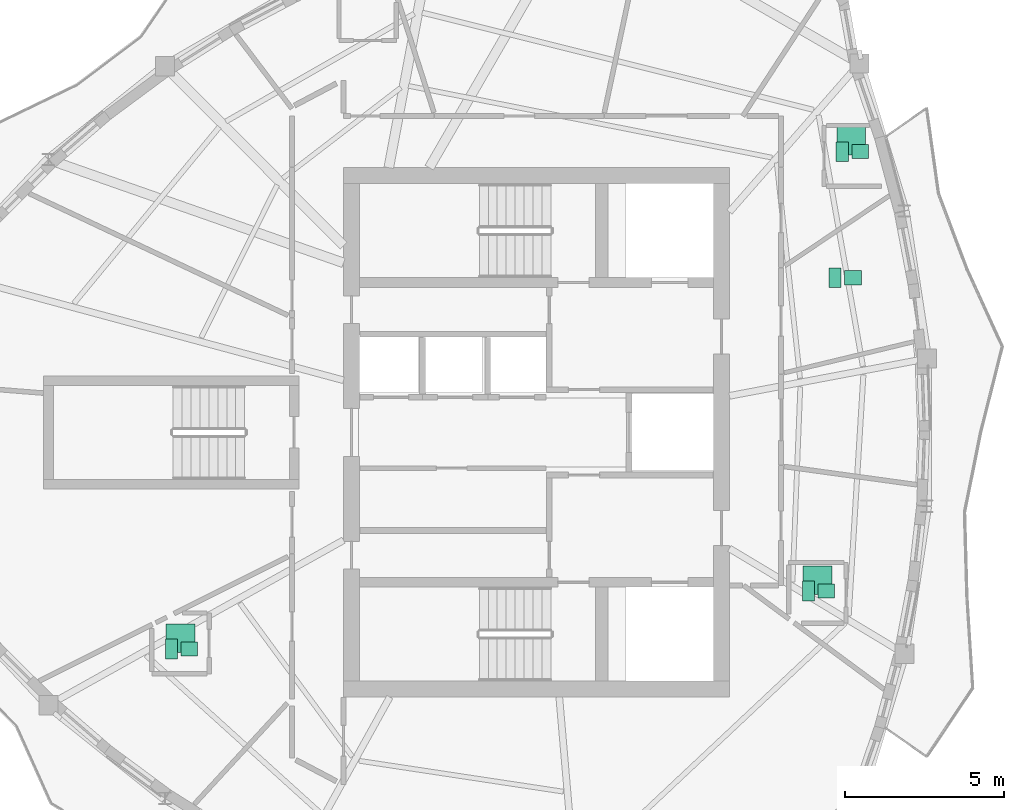
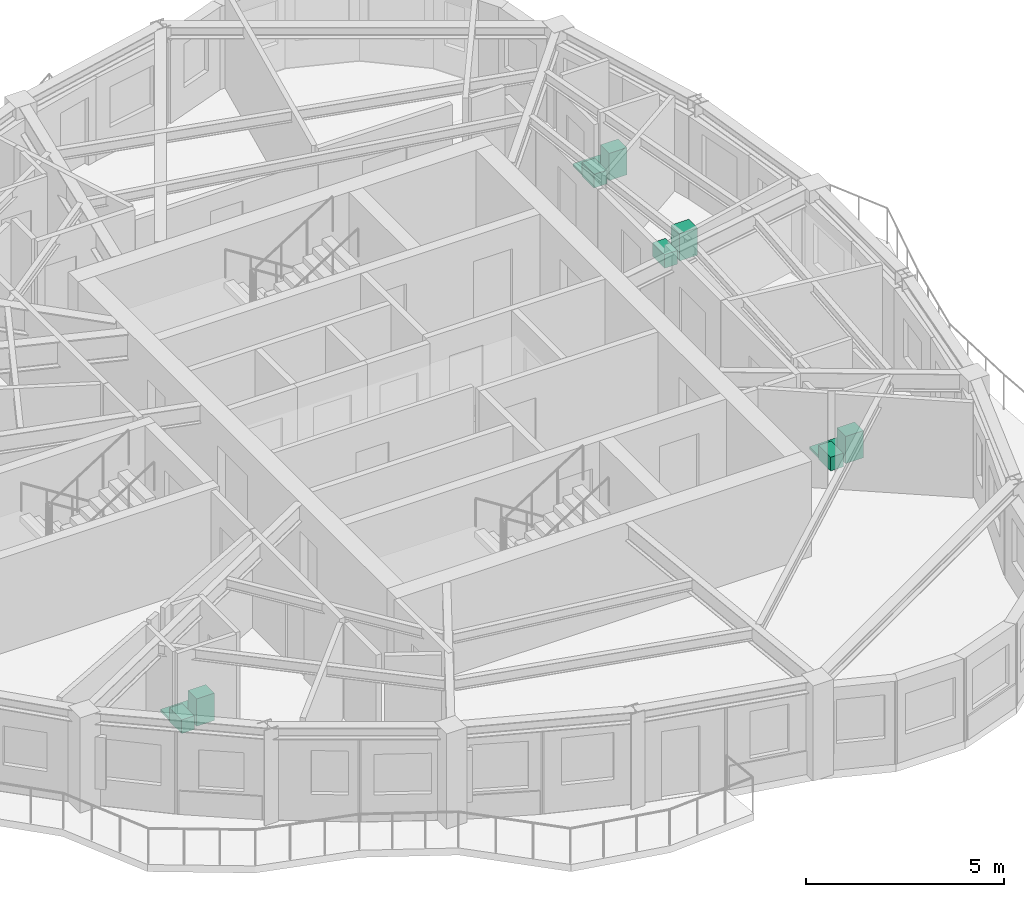
# One storey, part 12 of 12: 11 sanitary terminals.
"""IFC4 building model written with IfcOpenShell, lengths in metres."""

from ifc_helpers import new_model, si_unit, direction, frame, origin, origin_2d, place, context, subcontext, project, spatial, rectangle, extrude, source, transform, mapped, material, type_object, element, save


model = new_model("IFC4")

# Units and contexts
model_context = context("Model", 3, precision=1e-05, world=origin(), true_north=direction((0.0, 1.0)))
body_context = subcontext(model_context, "Body", "Model", "MODEL_VIEW")
ifc_project = project(units=[si_unit("LENGTHUNIT", "METRE"), si_unit("AREAUNIT", "SQUARE_METRE"), si_unit("VOLUMEUNIT", "CUBIC_METRE"), si_unit("PLANEANGLEUNIT", "RADIAN"), si_unit("MASSUNIT", "GRAM", prefix="KILO")], contexts=[model_context])

# Site, building, storey
site_placement = place(None, origin())
site = spatial("IfcSite", under=ifc_project, at=site_placement, CompositionType="ELEMENT")
building_placement = place(site_placement, origin())
building = spatial("IfcBuilding", under=site, at=building_placement, Name="Qafzar Sky-Pleat Residences", CompositionType="ELEMENT")
storey_placement = place(building_placement, frame((0.0, 0.0, 202.0)))
storey = spatial("IfcBuildingStorey", under=building, at=storey_placement, Name="L60", CompositionType="ELEMENT", Elevation=202.0)

# Sanitary terminals
ifc_material_1 = material(Name="Vitreous china sanitaryware")
sanitary_terminal_type_1 = type_object("IfcSanitaryTerminalType", Name="SAN-WC-PAN", PredefinedType="TOILETPAN", material=ifc_material_1)
shared_shape_1 = source(origin(), body_context, "Body", "SweptSolid", [
    extrude(rectangle(XDim=0.3798828125, YDim=0.6201171875, at=origin_2d()), origin(), (0.0, 0.0, 1.0), 0.419921875),
])
for number, where, z_axis, x_axis, name in (
    (1, (18.907958984375, 19.20751953125, 0.0), (0.0, 0.0, 1.0), (1.0, 0.0, 0.0), "L60 En-suite Bathroom 1 WC Pan"),
    (2, (38.8798828125, 21.025146484375, 0.0), (0.0, 0.0, 1.0), (1.0, 0.0, 0.0), "L60 En-suite Bathroom 2 WC Pan"),
    (3, (39.714111328125, 30.8486328125, 0.0), (0.0, 0.0, 1.0), (1.0, 0.0, 0.0), "L60 Accessible Shared Washroom WC Pan"),
    (4, (39.93701171875, 34.801513671875, 0.0), (0.0, 0.0, 1.0), (1.0, 0.0, 0.0), "L60 En-suite Bathroom 3 WC Pan"),
):
    element("IfcSanitaryTerminal", number, at=place(storey_placement, frame(where, z_axis=z_axis, x_axis=x_axis)), inside=storey, type_object=sanitary_terminal_type_1, Name=name, PredefinedType="TOILETPAN", context=body_context, shape_type="MappedRepresentation", body=[
        mapped(shared_shape_1, transform((0.0, 0.0, 0.0), x_axis=(1.0, 0.0, 0.0), y_axis=(0.0, 1.0, 0.0), z_axis=(0.0, 0.0, 1.0), scale=1.0)),
    ])
sanitary_terminal_type_2 = type_object("IfcSanitaryTerminalType", Name="SAN-BASIN", PredefinedType="WASHHANDBASIN", material=ifc_material_1)
shared_shape_2 = source(origin(), body_context, "Body", "SweptSolid", [
    extrude(rectangle(XDim=0.52001953125, YDim=0.43994140625, at=origin_2d()), origin(), (0.0, 0.0, 1.0), 0.840087890625),
])
for number, where, z_axis, x_axis, name in (
    (5, (19.468017578125, 19.20751953125, 0.0), (0.0, 0.0, 1.0), (1.0, 0.0, 0.0), "L60 En-suite Bathroom 1 Pedestal Washbasin"),
    (6, (39.43994140625, 21.025146484375, 0.0), (0.0, 0.0, 1.0), (1.0, 0.0, 0.0), "L60 En-suite Bathroom 2 Pedestal Washbasin"),
    (7, (40.274169921875, 30.8486328125, 0.0), (0.0, 0.0, 1.0), (1.0, 0.0, 0.0), "L60 Accessible Shared Washroom Pedestal Washbasin"),
    (8, (40.4970703125, 34.801513671875, 0.0), (0.0, 0.0, 1.0), (1.0, 0.0, 0.0), "L60 En-suite Bathroom 3 Pedestal Washbasin"),
):
    element("IfcSanitaryTerminal", number, at=place(storey_placement, frame(where, z_axis=z_axis, x_axis=x_axis)), inside=storey, type_object=sanitary_terminal_type_2, Name=name, PredefinedType="WASHHANDBASIN", context=body_context, shape_type="MappedRepresentation", body=[
        mapped(shared_shape_2, transform((0.0, 0.0, 0.0), x_axis=(1.0, 0.0, 0.0), y_axis=(0.0, 1.0, 0.0), z_axis=(0.0, 0.0, 1.0), scale=1.0)),
    ])
ifc_material_2 = material(Name="Vitreous china and acrylic tray")
sanitary_terminal_type_3 = type_object("IfcSanitaryTerminalType", Name="SAN-SHOWER", PredefinedType="SHOWER", material=ifc_material_2)
shared_shape_3 = source(origin(), body_context, "Body", "SweptSolid", [
    extrude(rectangle(XDim=0.89990234375, YDim=0.89990234375, at=origin_2d()), origin(), (0.0, 0.0, 1.0), 0.080078125),
])
for number, where, z_axis, x_axis, name in (
    (9, (19.18798828125, 19.54736328125, 0.0), (0.0, 0.0, 1.0), (1.0, 0.0, 0.0), "L60 En-suite Bathroom 1 Walk-In Shower"),
    (10, (39.159912109375, 21.364990234375, 0.0), (0.0, 0.0, 1.0), (1.0, 0.0, 0.0), "L60 En-suite Bathroom 2 Walk-In Shower"),
    (11, (40.217041015625, 35.1416015625, 0.0), (0.0, 0.0, 1.0), (1.0, 0.0, 0.0), "L60 En-suite Bathroom 3 Walk-In Shower"),
):
    element("IfcSanitaryTerminal", number, at=place(storey_placement, frame(where, z_axis=z_axis, x_axis=x_axis)), inside=storey, type_object=sanitary_terminal_type_3, Name=name, PredefinedType="SHOWER", context=body_context, shape_type="MappedRepresentation", body=[
        mapped(shared_shape_3, transform((0.0, 0.0, 0.0), x_axis=(1.0, 0.0, 0.0), y_axis=(0.0, 1.0, 0.0), z_axis=(0.0, 0.0, 1.0), scale=1.0)),
    ])

save(model, "model.ifc")
